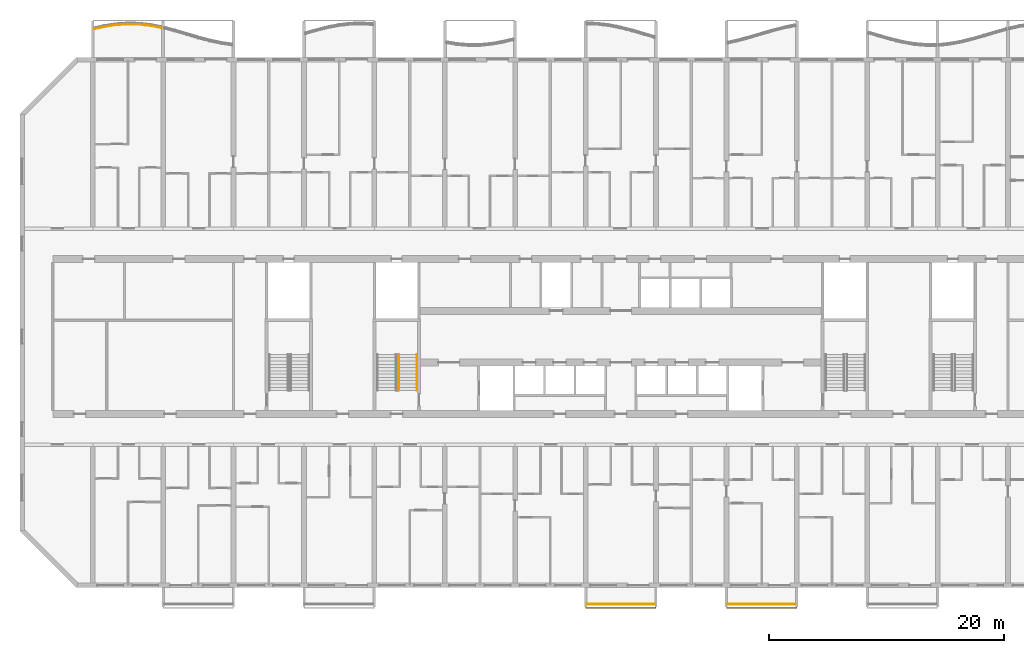
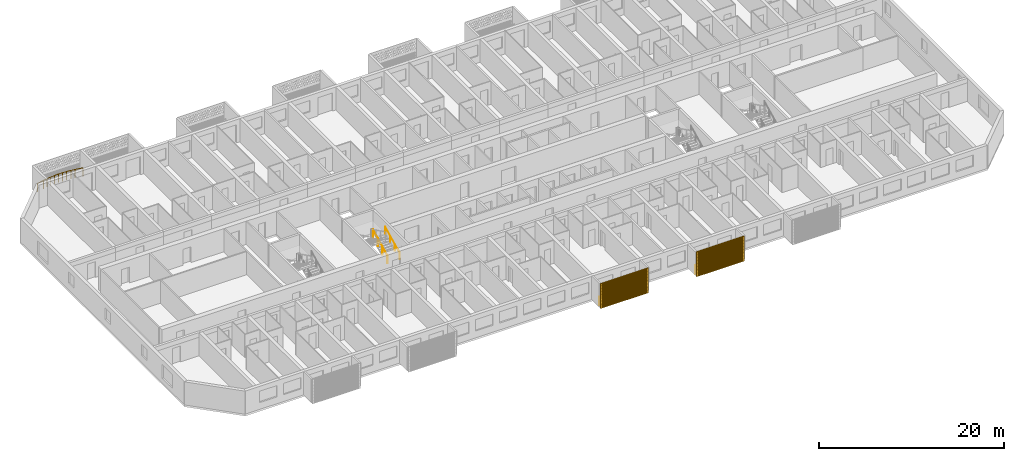
# One storey, part 20 of 40: 5 railings, 2 shading devices.
"""IFC4 building model written with IfcOpenShell, lengths in metres."""

from ifc_helpers import new_model, si_unit, direction, frame, origin, origin_2d, place, context, subcontext, project, spatial, polyline, circle, outline, extrude, source, transform, mapped, material, material_profile, profile_set, type_object, element, save


model = new_model("IFC4")

# Units and contexts
model_context = context("Model", 3, precision=1e-05, world=origin(), true_north=direction((0.0, 1.0)))
body_context = subcontext(model_context, "Body", "Model", "MODEL_VIEW")
ifc_project = project(units=[si_unit("LENGTHUNIT", "METRE"), si_unit("AREAUNIT", "SQUARE_METRE"), si_unit("VOLUMEUNIT", "CUBIC_METRE"), si_unit("PLANEANGLEUNIT", "RADIAN"), si_unit("MASSUNIT", "GRAM", prefix="KILO")], contexts=[model_context])

# Site, building, storey
site_placement = place(None, origin())
site = spatial("IfcSite", under=ifc_project, at=site_placement, CompositionType="ELEMENT")
building_placement = place(site_placement, origin())
building = spatial("IfcBuilding", under=site, at=building_placement, Name="Poui Terraces", CompositionType="ELEMENT")
storey_placement = place(building_placement, frame((0.0, 0.0, 36.60009765625)))
storey = spatial("IfcBuildingStorey", under=building, at=storey_placement, Name="L09", CompositionType="ELEMENT", Elevation=36.60009765625)

# Railings
ifc_material_1 = material(Name="Painted steel fretwork", Category="steel")
railing_type_1 = type_object("IfcRailingType", Name="BALCONY GUARD 1100", PredefinedType="GUARDRAIL", material=ifc_material_1)
railing_1_placement = place(storey_placement, frame((6.125, 47.39990234375, 0.0)))
element("IfcRailing", 1, at=railing_1_placement, inside=storey, type_object=railing_type_1, Name="BALCONY GUARD", PredefinedType="GUARDRAIL", context=body_context, shape_type="SweptSolid", body=[
    extrude(circle(Radius=0.02392578125, at=origin_2d()), frame((0.0, 0.0, 1.076171875), z_axis=(0.975923654922, 0.218112401672, 0.0), x_axis=(-0.218112401672, 0.975923654922, 0.0)), (0.0, 0.0, 1.0), 0.896484375),
    extrude(circle(Radius=0.02392578125, at=origin_2d()), frame((0.875, 0.195556640625, 1.076171875), z_axis=(0.9881587723, 0.153434809371, 0.0), x_axis=(-0.153434809371, 0.9881587723, 0.0)), (0.0, 0.0, 1.0), 1.011962890625),
    extrude(circle(Radius=0.02392578125, at=origin_2d()), frame((1.875, 0.350830078125, 1.076171875), z_axis=(0.997753790287, 0.066987864338, 0.0), x_axis=(-0.066987864338, 0.997753790287, 0.0)), (0.0, 0.0, 1.0), 1.002197265625),
    extrude(circle(Radius=0.02392578125, at=origin_2d()), frame((2.875, 0.41796875, 1.076171875), z_axis=(0.999612913888, -0.027821257857, 0.0), x_axis=(0.027821257857, 0.999612913888, 0.0)), (0.0, 0.0, 1.0), 1.00048828125),
    extrude(circle(Radius=0.02392578125, at=origin_2d()), frame((3.875, 0.39013671875, 1.076171875), z_axis=(0.992891742073, -0.119020958339, 0.0), x_axis=(0.119020958339, 0.992891742073, 0.0)), (0.0, 0.0, 1.0), 1.007080078125),
    extrude(circle(Radius=0.02392578125, at=origin_2d()), frame((4.875, 0.270263671875, 1.076171875), z_axis=(0.981403870586, -0.191954272679, 0.0), x_axis=(0.191954272679, 0.981403870586, 0.0)), (0.0, 0.0, 1.0), 0.8916015625),
    extrude(circle(Radius=0.02099609375, at=origin_2d()), origin(), (0.0, 0.0, 1.0), 1.052001953125),
    extrude(circle(Radius=0.02099609375, at=origin_2d()), frame((0.875, 0.195556640625, 0.0)), (0.0, 0.0, 1.0), 1.052001953125),
    extrude(circle(Radius=0.02099609375, at=origin_2d()), frame((1.375, 0.273193359375, 0.0)), (0.0, 0.0, 1.0), 1.052001953125),
    extrude(circle(Radius=0.02099609375, at=origin_2d()), frame((1.875, 0.350830078125, 0.0)), (0.0, 0.0, 1.0), 1.052001953125),
    extrude(circle(Radius=0.02099609375, at=origin_2d()), frame((2.375, 0.38427734375, 0.0)), (0.0, 0.0, 1.0), 1.052001953125),
    extrude(circle(Radius=0.02099609375, at=origin_2d()), frame((2.875, 0.41796875, 0.0)), (0.0, 0.0, 1.0), 1.052001953125),
    extrude(circle(Radius=0.02099609375, at=origin_2d()), frame((3.375, 0.404052734375, 0.0)), (0.0, 0.0, 1.0), 1.052001953125),
    extrude(circle(Radius=0.02099609375, at=origin_2d()), frame((3.875, 0.39013671875, 0.0)), (0.0, 0.0, 1.0), 1.052001953125),
    extrude(circle(Radius=0.02099609375, at=origin_2d()), frame((4.375, 0.330078125, 0.0)), (0.0, 0.0, 1.0), 1.052001953125),
    extrude(circle(Radius=0.02099609375, at=origin_2d()), frame((4.875, 0.270263671875, 0.0)), (0.0, 0.0, 1.0), 1.052001953125),
    extrude(circle(Radius=0.02099609375, at=origin_2d()), frame((5.75, 0.09912109375, 0.0)), (0.0, 0.0, 1.0), 1.052001953125),
])
for number, where, name in (
    (2, (48.10009765625, -1.570068359375, 0.0), "BALCONY GUARD"),
    (3, (60.10009765625, -1.570068359375, 0.0), "BALCONY GUARD"),
):
    element("IfcRailing", number, at=place(storey_placement, frame(where)), inside=storey, type_object=railing_type_1, Name=name, PredefinedType="GUARDRAIL", context=body_context, shape_type="SweptSolid", body=[
        extrude(circle(Radius=0.02392578125, at=origin_2d()), frame((0.0, 0.0, 1.076171875), z_axis=(1.0, 0.0, 0.0), x_axis=(0.0, 1.0, 0.0)), (0.0, 0.0, 1.0), 5.7998046875),
        extrude(circle(Radius=0.02099609375, at=origin_2d()), origin(), (0.0, 0.0, 1.0), 1.052001953125),
        extrude(circle(Radius=0.02099609375, at=origin_2d()), frame((0.966552734375, 0.0, 0.0)), (0.0, 0.0, 1.0), 1.052001953125),
        extrude(circle(Radius=0.02099609375, at=origin_2d()), frame((1.933349609375, 0.0, 0.0)), (0.0, 0.0, 1.0), 1.052001953125),
        extrude(circle(Radius=0.02099609375, at=origin_2d()), frame((2.89990234375, 0.0, 0.0)), (0.0, 0.0, 1.0), 1.052001953125),
        extrude(circle(Radius=0.02099609375, at=origin_2d()), frame((3.866455078125, 0.0, 0.0)), (0.0, 0.0, 1.0), 1.052001953125),
        extrude(circle(Radius=0.02099609375, at=origin_2d()), frame((4.833251953125, 0.0, 0.0)), (0.0, 0.0, 1.0), 1.052001953125),
        extrude(circle(Radius=0.02099609375, at=origin_2d()), frame((5.7998046875, 0.0, 0.0)), (0.0, 0.0, 1.0), 1.052001953125),
    ])
ifc_material_2 = material(Name="Galvanised steel balustrade", Category="steel")
railing_type_2 = type_object("IfcRailingType", Name="STAIR GUARD 1100", PredefinedType="GUARDRAIL", material=ifc_material_2)
railing_2_placement = place(storey_placement, frame((32.074951171875, 16.60009765625, 0.137451171875)))
element("IfcRailing", 4, at=railing_2_placement, inside=storey, type_object=railing_type_2, Name="L09 ST-CW stair guard 1", PredefinedType="GUARDRAIL", context=body_context, shape_type="SweptSolid", body=[
    extrude(circle(Radius=0.02392578125, at=origin_2d()), frame((0.0, 0.0, 1.076171875), z_axis=(0.0, 0.897606190399, 0.440798283751), x_axis=(-1.0, 0.0, 0.0)), (0.0, 0.0, 1.0), 3.43115234375),
    extrude(circle(Radius=0.02099609375, at=origin_2d()), origin(), (0.0, 0.0, 1.0), 1.052001953125),
    extrude(circle(Radius=0.02099609375, at=origin_2d()), frame((0.0, 1.026611328125, 0.504150390625)), (0.0, 0.0, 1.0), 1.052001953125),
    extrude(circle(Radius=0.02099609375, at=origin_2d()), frame((0.0, 2.05322265625, 1.00830078125)), (0.0, 0.0, 1.0), 1.052001953125),
    extrude(circle(Radius=0.02099609375, at=origin_2d()), frame((0.0, 3.079833984375, 1.512451171875)), (0.0, 0.0, 1.0), 1.052001953125),
])
ifc_material_3 = material(Name="Stainless steel handrail", Category="steel")
railing_type_3 = type_object("IfcRailingType", Name="STAIR HANDRAIL 900", PredefinedType="HANDRAIL", material=ifc_material_3)
railing_3_placement = place(storey_placement, frame((33.625, 16.60009765625, 0.137451171875)))
element("IfcRailing", 5, at=railing_3_placement, inside=storey, type_object=railing_type_3, Name="L09 ST-CW stair handrail 1", PredefinedType="HANDRAIL", context=body_context, shape_type="SweptSolid", body=[
    extrude(circle(Radius=0.02392578125, at=origin_2d()), frame((0.0, 0.0, 0.8759765625), z_axis=(0.0, 0.897606190399, 0.440798283751), x_axis=(-1.0, 0.0, 0.0)), (0.0, 0.0, 1.0), 3.43115234375),
    extrude(circle(Radius=0.02099609375, at=origin_2d()), origin(), (0.0, 0.0, 1.0), 0.851806640625),
    extrude(circle(Radius=0.02099609375, at=origin_2d()), frame((0.0, 1.026611328125, 0.504150390625)), (0.0, 0.0, 1.0), 0.851806640625),
    extrude(circle(Radius=0.02099609375, at=origin_2d()), frame((0.0, 2.05322265625, 1.00830078125)), (0.0, 0.0, 1.0), 0.851806640625),
    extrude(circle(Radius=0.02099609375, at=origin_2d()), frame((0.0, 3.079833984375, 1.512451171875)), (0.0, 0.0, 1.0), 0.851806640625),
])

# Shading devices
ifc_material_4 = material(Name="Aluminium louvre", Category="aluminium")
ifc_material_profile = material_profile(ifc_material_4, outline(polyline([(-3.0, -1.64990234375), (3.0, -1.64990234375), (3.0, 1.64990234375), (-3.0, 1.64990234375), (-3.0, -1.64990234375)]), holes=[polyline([(-2.800048828125, -1.530029296875), (2.800048828125, -1.530029296875), (2.800048828125, -1.469970703125), (-2.800048828125, -1.469970703125), (-2.800048828125, -1.530029296875)]), polyline([(-2.800048828125, -1.429931640625), (2.800048828125, -1.429931640625), (2.800048828125, -1.3701171875), (-2.800048828125, -1.3701171875), (-2.800048828125, -1.429931640625)]), polyline([(-2.800048828125, -1.330078125), (2.800048828125, -1.330078125), (2.800048828125, -1.27001953125), (-2.800048828125, -1.27001953125), (-2.800048828125, -1.330078125)]), polyline([(-2.800048828125, -1.22998046875), (2.800048828125, -1.22998046875), (2.800048828125, -1.169921875), (-2.800048828125, -1.169921875), (-2.800048828125, -1.22998046875)]), polyline([(-2.800048828125, -1.1298828125), (2.800048828125, -1.1298828125), (2.800048828125, -1.070068359375), (-2.800048828125, -1.070068359375), (-2.800048828125, -1.1298828125)]), polyline([(-2.800048828125, -1.030029296875), (2.800048828125, -1.030029296875), (2.800048828125, -0.969970703125), (-2.800048828125, -0.969970703125), (-2.800048828125, -1.030029296875)]), polyline([(-2.800048828125, -0.929931640625), (2.800048828125, -0.929931640625), (2.800048828125, -0.8701171875), (-2.800048828125, -0.8701171875), (-2.800048828125, -0.929931640625)]), polyline([(-2.800048828125, -0.830078125), (2.800048828125, -0.830078125), (2.800048828125, -0.77001953125), (-2.800048828125, -0.77001953125), (-2.800048828125, -0.830078125)]), polyline([(-2.800048828125, -0.72998046875), (2.800048828125, -0.72998046875), (2.800048828125, -0.669921875), (-2.800048828125, -0.669921875), (-2.800048828125, -0.72998046875)]), polyline([(-2.800048828125, -0.6298828125), (2.800048828125, -0.6298828125), (2.800048828125, -0.570068359375), (-2.800048828125, -0.570068359375), (-2.800048828125, -0.6298828125)]), polyline([(-2.800048828125, -0.530029296875), (2.800048828125, -0.530029296875), (2.800048828125, -0.469970703125), (-2.800048828125, -0.469970703125), (-2.800048828125, -0.530029296875)]), polyline([(-2.800048828125, -0.429931640625), (2.800048828125, -0.429931640625), (2.800048828125, -0.3701171875), (-2.800048828125, -0.3701171875), (-2.800048828125, -0.429931640625)]), polyline([(-2.800048828125, -0.330078125), (2.800048828125, -0.330078125), (2.800048828125, -0.27001953125), (-2.800048828125, -0.27001953125), (-2.800048828125, -0.330078125)]), polyline([(-2.800048828125, -0.22998046875), (2.800048828125, -0.22998046875), (2.800048828125, -0.169921875), (-2.800048828125, -0.169921875), (-2.800048828125, -0.22998046875)]), polyline([(-2.800048828125, -0.1298828125), (2.800048828125, -0.1298828125), (2.800048828125, -0.070068359375), (-2.800048828125, -0.070068359375), (-2.800048828125, -0.1298828125)]), polyline([(-2.800048828125, -0.030029296875), (2.800048828125, -0.030029296875), (2.800048828125, 0.030029296875), (-2.800048828125, 0.030029296875), (-2.800048828125, -0.030029296875)]), polyline([(-2.800048828125, 0.070068359375), (2.800048828125, 0.070068359375), (2.800048828125, 0.1298828125), (-2.800048828125, 0.1298828125), (-2.800048828125, 0.070068359375)]), polyline([(-2.800048828125, 0.169921875), (2.800048828125, 0.169921875), (2.800048828125, 0.22998046875), (-2.800048828125, 0.22998046875), (-2.800048828125, 0.169921875)]), polyline([(-2.800048828125, 0.27001953125), (2.800048828125, 0.27001953125), (2.800048828125, 0.330078125), (-2.800048828125, 0.330078125), (-2.800048828125, 0.27001953125)]), polyline([(-2.800048828125, 0.3701171875), (2.800048828125, 0.3701171875), (2.800048828125, 0.429931640625), (-2.800048828125, 0.429931640625), (-2.800048828125, 0.3701171875)]), polyline([(-2.800048828125, 0.469970703125), (2.800048828125, 0.469970703125), (2.800048828125, 0.530029296875), (-2.800048828125, 0.530029296875), (-2.800048828125, 0.469970703125)]), polyline([(-2.800048828125, 0.570068359375), (2.800048828125, 0.570068359375), (2.800048828125, 0.6298828125), (-2.800048828125, 0.6298828125), (-2.800048828125, 0.570068359375)]), polyline([(-2.800048828125, 0.669921875), (2.800048828125, 0.669921875), (2.800048828125, 0.72998046875), (-2.800048828125, 0.72998046875), (-2.800048828125, 0.669921875)]), polyline([(-2.800048828125, 0.77001953125), (2.800048828125, 0.77001953125), (2.800048828125, 0.830078125), (-2.800048828125, 0.830078125), (-2.800048828125, 0.77001953125)]), polyline([(-2.800048828125, 0.8701171875), (2.800048828125, 0.8701171875), (2.800048828125, 0.929931640625), (-2.800048828125, 0.929931640625), (-2.800048828125, 0.8701171875)]), polyline([(-2.800048828125, 0.969970703125), (2.800048828125, 0.969970703125), (2.800048828125, 1.030029296875), (-2.800048828125, 1.030029296875), (-2.800048828125, 0.969970703125)]), polyline([(-2.800048828125, 1.070068359375), (2.800048828125, 1.070068359375), (2.800048828125, 1.1298828125), (-2.800048828125, 1.1298828125), (-2.800048828125, 1.070068359375)]), polyline([(-2.800048828125, 1.169921875), (2.800048828125, 1.169921875), (2.800048828125, 1.22998046875), (-2.800048828125, 1.22998046875), (-2.800048828125, 1.169921875)]), polyline([(-2.800048828125, 1.27001953125), (2.800048828125, 1.27001953125), (2.800048828125, 1.330078125), (-2.800048828125, 1.330078125), (-2.800048828125, 1.27001953125)]), polyline([(-2.800048828125, 1.3701171875), (2.800048828125, 1.3701171875), (2.800048828125, 1.429931640625), (-2.800048828125, 1.429931640625), (-2.800048828125, 1.3701171875)]), polyline([(-2.800048828125, 1.469970703125), (2.800048828125, 1.469970703125), (2.800048828125, 1.530029296875), (-2.800048828125, 1.530029296875), (-2.800048828125, 1.469970703125)])]), Name="JALOUSIE LOUVRE SHUTTER 6000X3300")
ifc_profile_set = profile_set([ifc_material_profile], Name="Aluminium louvre")
shading_device_type = type_object("IfcShadingDeviceType", Name="JALOUSIE LOUVRE SHUTTER 6000X3300", PredefinedType="JALOUSIE", material=ifc_profile_set)
shared_shape = source(origin(), body_context, "Body", "SweptSolid", [
    extrude(outline(polyline([(-3.0, -1.64990234375), (3.0, -1.64990234375), (3.0, 1.64990234375), (-3.0, 1.64990234375), (-3.0, -1.64990234375)]), holes=[polyline([(-2.800048828125, -1.530029296875), (2.800048828125, -1.530029296875), (2.800048828125, -1.469970703125), (-2.800048828125, -1.469970703125), (-2.800048828125, -1.530029296875)]), polyline([(-2.800048828125, -1.429931640625), (2.800048828125, -1.429931640625), (2.800048828125, -1.3701171875), (-2.800048828125, -1.3701171875), (-2.800048828125, -1.429931640625)]), polyline([(-2.800048828125, -1.330078125), (2.800048828125, -1.330078125), (2.800048828125, -1.27001953125), (-2.800048828125, -1.27001953125), (-2.800048828125, -1.330078125)]), polyline([(-2.800048828125, -1.22998046875), (2.800048828125, -1.22998046875), (2.800048828125, -1.169921875), (-2.800048828125, -1.169921875), (-2.800048828125, -1.22998046875)]), polyline([(-2.800048828125, -1.1298828125), (2.800048828125, -1.1298828125), (2.800048828125, -1.070068359375), (-2.800048828125, -1.070068359375), (-2.800048828125, -1.1298828125)]), polyline([(-2.800048828125, -1.030029296875), (2.800048828125, -1.030029296875), (2.800048828125, -0.969970703125), (-2.800048828125, -0.969970703125), (-2.800048828125, -1.030029296875)]), polyline([(-2.800048828125, -0.929931640625), (2.800048828125, -0.929931640625), (2.800048828125, -0.8701171875), (-2.800048828125, -0.8701171875), (-2.800048828125, -0.929931640625)]), polyline([(-2.800048828125, -0.830078125), (2.800048828125, -0.830078125), (2.800048828125, -0.77001953125), (-2.800048828125, -0.77001953125), (-2.800048828125, -0.830078125)]), polyline([(-2.800048828125, -0.72998046875), (2.800048828125, -0.72998046875), (2.800048828125, -0.669921875), (-2.800048828125, -0.669921875), (-2.800048828125, -0.72998046875)]), polyline([(-2.800048828125, -0.6298828125), (2.800048828125, -0.6298828125), (2.800048828125, -0.570068359375), (-2.800048828125, -0.570068359375), (-2.800048828125, -0.6298828125)]), polyline([(-2.800048828125, -0.530029296875), (2.800048828125, -0.530029296875), (2.800048828125, -0.469970703125), (-2.800048828125, -0.469970703125), (-2.800048828125, -0.530029296875)]), polyline([(-2.800048828125, -0.429931640625), (2.800048828125, -0.429931640625), (2.800048828125, -0.3701171875), (-2.800048828125, -0.3701171875), (-2.800048828125, -0.429931640625)]), polyline([(-2.800048828125, -0.330078125), (2.800048828125, -0.330078125), (2.800048828125, -0.27001953125), (-2.800048828125, -0.27001953125), (-2.800048828125, -0.330078125)]), polyline([(-2.800048828125, -0.22998046875), (2.800048828125, -0.22998046875), (2.800048828125, -0.169921875), (-2.800048828125, -0.169921875), (-2.800048828125, -0.22998046875)]), polyline([(-2.800048828125, -0.1298828125), (2.800048828125, -0.1298828125), (2.800048828125, -0.070068359375), (-2.800048828125, -0.070068359375), (-2.800048828125, -0.1298828125)]), polyline([(-2.800048828125, -0.030029296875), (2.800048828125, -0.030029296875), (2.800048828125, 0.030029296875), (-2.800048828125, 0.030029296875), (-2.800048828125, -0.030029296875)]), polyline([(-2.800048828125, 0.070068359375), (2.800048828125, 0.070068359375), (2.800048828125, 0.1298828125), (-2.800048828125, 0.1298828125), (-2.800048828125, 0.070068359375)]), polyline([(-2.800048828125, 0.169921875), (2.800048828125, 0.169921875), (2.800048828125, 0.22998046875), (-2.800048828125, 0.22998046875), (-2.800048828125, 0.169921875)]), polyline([(-2.800048828125, 0.27001953125), (2.800048828125, 0.27001953125), (2.800048828125, 0.330078125), (-2.800048828125, 0.330078125), (-2.800048828125, 0.27001953125)]), polyline([(-2.800048828125, 0.3701171875), (2.800048828125, 0.3701171875), (2.800048828125, 0.429931640625), (-2.800048828125, 0.429931640625), (-2.800048828125, 0.3701171875)]), polyline([(-2.800048828125, 0.469970703125), (2.800048828125, 0.469970703125), (2.800048828125, 0.530029296875), (-2.800048828125, 0.530029296875), (-2.800048828125, 0.469970703125)]), polyline([(-2.800048828125, 0.570068359375), (2.800048828125, 0.570068359375), (2.800048828125, 0.6298828125), (-2.800048828125, 0.6298828125), (-2.800048828125, 0.570068359375)]), polyline([(-2.800048828125, 0.669921875), (2.800048828125, 0.669921875), (2.800048828125, 0.72998046875), (-2.800048828125, 0.72998046875), (-2.800048828125, 0.669921875)]), polyline([(-2.800048828125, 0.77001953125), (2.800048828125, 0.77001953125), (2.800048828125, 0.830078125), (-2.800048828125, 0.830078125), (-2.800048828125, 0.77001953125)]), polyline([(-2.800048828125, 0.8701171875), (2.800048828125, 0.8701171875), (2.800048828125, 0.929931640625), (-2.800048828125, 0.929931640625), (-2.800048828125, 0.8701171875)]), polyline([(-2.800048828125, 0.969970703125), (2.800048828125, 0.969970703125), (2.800048828125, 1.030029296875), (-2.800048828125, 1.030029296875), (-2.800048828125, 0.969970703125)]), polyline([(-2.800048828125, 1.070068359375), (2.800048828125, 1.070068359375), (2.800048828125, 1.1298828125), (-2.800048828125, 1.1298828125), (-2.800048828125, 1.070068359375)]), polyline([(-2.800048828125, 1.169921875), (2.800048828125, 1.169921875), (2.800048828125, 1.22998046875), (-2.800048828125, 1.22998046875), (-2.800048828125, 1.169921875)]), polyline([(-2.800048828125, 1.27001953125), (2.800048828125, 1.27001953125), (2.800048828125, 1.330078125), (-2.800048828125, 1.330078125), (-2.800048828125, 1.27001953125)]), polyline([(-2.800048828125, 1.3701171875), (2.800048828125, 1.3701171875), (2.800048828125, 1.429931640625), (-2.800048828125, 1.429931640625), (-2.800048828125, 1.3701171875)]), polyline([(-2.800048828125, 1.469970703125), (2.800048828125, 1.469970703125), (2.800048828125, 1.530029296875), (-2.800048828125, 1.530029296875), (-2.800048828125, 1.469970703125)])]), origin(), (0.0, 0.0, 1.0), 0.099853515625),
])
for number, where, z_axis, x_axis, name in (
    (6, (51.0, -1.85009765625, 1.449951171875), (0.0, -1.0, 0.0), (1.0, 0.0, 0.0), "JALOUSIE LOUVRE SHUTTER"),
    (7, (63.0, -1.85009765625, 1.449951171875), (0.0, -1.0, 0.0), (1.0, 0.0, 0.0), "JALOUSIE LOUVRE SHUTTER"),
):
    element("IfcShadingDevice", number, at=place(storey_placement, frame(where, z_axis=z_axis, x_axis=x_axis)), inside=storey, type_object=shading_device_type, Name=name, PredefinedType="JALOUSIE", context=body_context, shape_type="MappedRepresentation", body=[
        mapped(shared_shape, transform((0.0, 0.0, 0.0))),
    ])

save(model, "model.ifc")
